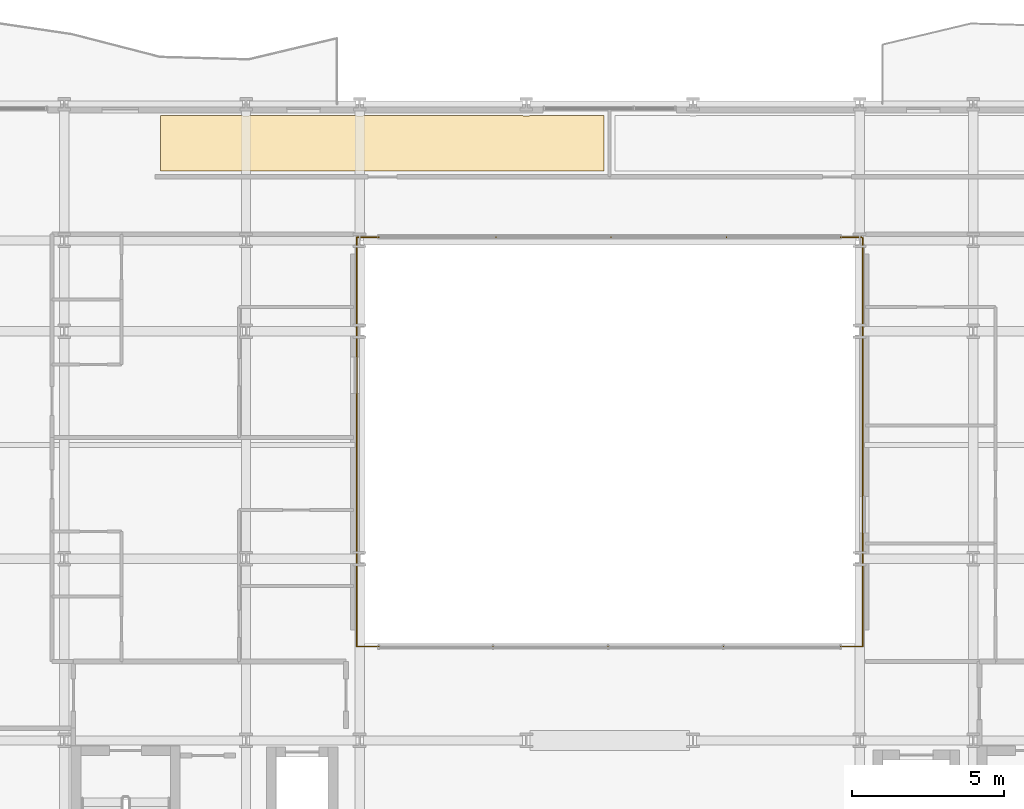
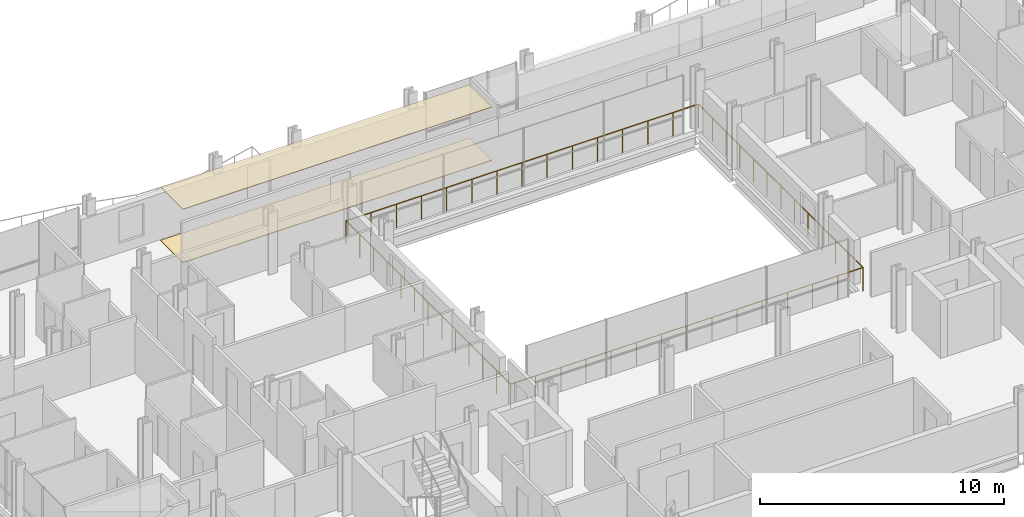
# One storey, part 39 of 41: 2 coverings, 2 railings.
"""IFC4 building model written with IfcOpenShell, lengths in metres."""

import ifcopenshell
import ifcopenshell.guid

model = None  # the IFC model being written
_history = None  # IfcOwnerHistory: only IFC2X3 demands one
_inside = {}  # id of a spatial element -> (the spatial element, [elements in it])
_under = {}  # id of a project, library or spatial element -> (it, [spatial elements below it])
_declared = {}  # id of a project -> (the project, [libraries it declares])
_typed = {}  # id of a type object -> (the type object, [elements of that type])
_made_of = {}  # id of a material, layer set ... -> (it, [elements and type objects made of it])


def new_model(schema):
    """Start an empty IFC model of exactly this schema.

    Asked for "IFC4X3", IfcOpenShell would pick the latest addendum, in which some entities
    have other attributes; the version numbers below select the first issue.
    IFC2X3 requires an IfcOwnerHistory on every rooted entity: one is made here for all.
    """
    global model, _history
    if schema == "IFC4X3":
        model = ifcopenshell.file(schema_version=(4, 3, 0, 0))
    else:
        model = ifcopenshell.file(schema=schema)
    _inside.clear()
    _under.clear()
    _declared.clear()
    _typed.clear()
    _made_of.clear()
    _history = None
    if model.schema == "IFC2X3":
        org = make("IfcOrganization", Name="unknown")
        user = make(
            "IfcPersonAndOrganization",
            ThePerson=make("IfcPerson", FamilyName="unknown"),
            TheOrganization=org,
        )
        app = make(
            "IfcApplication",
            ApplicationDeveloper=org,
            Version="unknown",
            ApplicationFullName="unknown",
            ApplicationIdentifier="unknown",
        )
        _history = make(
            "IfcOwnerHistory",
            OwningUser=user,
            OwningApplication=app,
            ChangeAction="ADDED",
            CreationDate=0,
        )
    return model


def make(cls, **values):
    """One entity of the class cls with the attributes given. An attribute that is None is left unset."""
    return model.create_entity(
        cls, **{name: value for name, value in values.items() if value is not None}
    )


def rooted(cls, **values):
    """An entity with a GlobalId (a new one), such as an element, a storey or a relation."""
    return make(cls, GlobalId=ifcopenshell.guid.new(), OwnerHistory=_history, **values)


def si_unit(unit_type, name, prefix=None):
    """IfcSIUnit, for example si_unit("LENGTHUNIT", "METRE", prefix="MILLI")."""
    return make("IfcSIUnit", UnitType=unit_type, Prefix=prefix, Name=name)


def assignment(units):
    """IfcUnitAssignment: the units of a project."""
    return None if units is None else make("IfcUnitAssignment", Units=units)


def point(xyz):
    """IfcCartesianPoint."""
    return None if xyz is None else make("IfcCartesianPoint", Coordinates=xyz)


def direction(xyz):
    """IfcDirection."""
    return None if xyz is None else make("IfcDirection", DirectionRatios=xyz)


def frame(location, z_axis=None, x_axis=None):
    """IfcAxis2Placement3D, a coordinate frame: its origin and axes. An axis left out is left unset."""
    return make(
        "IfcAxis2Placement3D",
        Location=point(location),
        Axis=direction(z_axis),
        RefDirection=direction(x_axis),
    )


def frame_2d(location, x_axis=None):
    """IfcAxis2Placement2D, a coordinate frame in the plane: its origin and x axis."""
    return make(
        "IfcAxis2Placement2D", Location=point(location), RefDirection=direction(x_axis)
    )


def origin():
    """The frame at (0, 0, 0) with its axes left unset."""
    return frame((0.0, 0.0, 0.0))


def origin_2d():
    """The frame at (0, 0) in the plane with its x axis left unset."""
    return frame_2d((0.0, 0.0))


def place(relative_to, where):
    """IfcLocalPlacement: puts the frame where relative to a parent placement (None: the world)."""
    return make(
        "IfcLocalPlacement", PlacementRelTo=relative_to, RelativePlacement=where
    )


def context(
    kind, dimensions, precision=None, world=None, true_north=None, identifier=None
):
    """IfcGeometricRepresentationContext, for example the 3D "Model" context."""
    return make(
        "IfcGeometricRepresentationContext",
        ContextIdentifier=identifier,
        ContextType=kind,
        CoordinateSpaceDimension=dimensions,
        Precision=precision,
        WorldCoordinateSystem=world,
        TrueNorth=true_north,
    )


def subcontext(parent, identifier, kind, view, scale=None):
    """IfcGeometricRepresentationSubContext, for example "Body" below "Model"."""
    return make(
        "IfcGeometricRepresentationSubContext",
        ContextIdentifier=identifier,
        ContextType=kind,
        ParentContext=parent,
        TargetScale=scale,
        TargetView=view,
    )


def project(units=None, contexts=None):
    """IfcProject with its units and contexts."""
    return rooted(
        "IfcProject",
        Name="project",
        RepresentationContexts=contexts,
        UnitsInContext=assignment(units),
    )


def spatial(cls, under=None, at=None, **own):
    """A site, building, storey or space (cls), placed at a placement, below another one or the project."""
    s = rooted(cls, ObjectPlacement=at, **own)
    if under is not None:
        _under.setdefault(under.id(), (under, []))[1].append(s)
    return s


def polyline(points):
    """IfcPolyline through the points."""
    return make("IfcPolyline", Points=[point(p) for p in points])


def profile(cls, at=None, kind="AREA", **sizes):
    """A parametric profile (cls). Its sizes go by their IFC names, for example OverallWidth=200.0."""
    return make(cls, ProfileType=kind, Position=at, **sizes)


def circle(**sizes):
    """IfcCircleProfileDef."""
    return profile("IfcCircleProfileDef", **sizes)


def outline(outer, holes=None, kind="AREA"):
    """IfcArbitraryClosedProfileDef: a profile drawn as a closed curve; with holes, ...WithVoids."""
    if holes is None:
        return make("IfcArbitraryClosedProfileDef", ProfileType=kind, OuterCurve=outer)
    return make(
        "IfcArbitraryProfileDefWithVoids",
        ProfileType=kind,
        OuterCurve=outer,
        InnerCurves=holes,
    )


def extrude(swept, where, along, depth):
    """IfcExtrudedAreaSolid: the profile swept, set in the frame where, extruded along a direction by depth."""
    return make(
        "IfcExtrudedAreaSolid",
        SweptArea=swept,
        Position=where,
        ExtrudedDirection=direction(along),
        Depth=depth,
    )


def shape(context_of_items, identifier, shape_type, items):
    """IfcShapeRepresentation: the items that make up one representation, for example the "Body"."""
    return make(
        "IfcShapeRepresentation",
        ContextOfItems=context_of_items,
        RepresentationIdentifier=identifier,
        RepresentationType=shape_type,
        Items=items,
    )


def material(Name=None, Category=None):
    """IfcMaterial."""
    return make("IfcMaterial", Name=Name, Category=Category)


def layer(
    of_material, thickness, ventilated=None, Name=None, Category=None, Priority=None
):
    """IfcMaterialLayer: one layer of a wall or slab, of a material (None: an air gap)."""
    return make(
        "IfcMaterialLayer",
        Material=of_material,
        LayerThickness=thickness,
        IsVentilated=ventilated,
        Name=Name,
        Category=Category,
        Priority=Priority,
    )


def layer_set(layers, Name=None):
    """IfcMaterialLayerSet."""
    return make("IfcMaterialLayerSet", MaterialLayers=layers, LayerSetName=Name)


def made_of(thing, what):
    """Note that an element or type object is made of a material, layer set ...; save() writes the relation."""
    if what is not None:
        _made_of.setdefault(what.id(), (what, []))[1].append(thing)
    return thing


def type_object(cls, material=None, **own):
    """A type object (cls), such as IfcWallType, which elements share."""
    return made_of(rooted(cls, **own), material)


def element(
    cls,
    number,
    at=None,
    inside=None,
    cuts=None,
    type_object=None,
    material=None,
    context=None,
    identifier="Body",
    shape_type=None,
    held_by="IfcProductDefinitionShape",
    body=None,
    shapes=None,
    **own,
):
    """One element of the class cls, such as IfcWall. Its Tag is "e" and its number.

    at: its placement. inside: the storey or other place that contains it. cuts: it is an
    opening in that element (IfcRelVoidsElement). A single representation is given by context,
    identifier, shape_type and body (its items); several are given by shapes. held_by: the class
    of the entity that holds the representations. save() writes the other relations.
    """
    e = rooted(cls, Tag="e%d" % number, ObjectPlacement=at, **own)
    if body is not None:
        shapes = [shape(context, identifier, shape_type, body)]
    if shapes is not None:
        e.Representation = make(held_by, Representations=shapes)
    if inside is not None:
        _inside.setdefault(inside.id(), (inside, []))[1].append(e)
    if cuts is not None:
        rooted(
            "IfcRelVoidsElement", RelatingBuildingElement=cuts, RelatedOpeningElement=e
        )
    if type_object is not None:
        _typed.setdefault(type_object.id(), (type_object, []))[1].append(e)
    return made_of(e, material)


def aggregate(whole, parts):
    """IfcRelAggregates: a whole, such as a stair, and the parts it consists of."""
    return rooted("IfcRelAggregates", RelatingObject=whole, RelatedObjects=parts)


def save(model, path):
    """Write the relations noted so far, then the file.

    IfcRelAggregates (storeys below a building ...), IfcRelContainedInSpatialStructure (elements
    in a storey), IfcRelDefinesByType, IfcRelAssociatesMaterial and IfcRelDeclares: one each for
    every whole, place, type object, material and project.
    """
    for whole, parts in _under.values():
        aggregate(whole, parts)
    for where, things in _inside.values():
        rooted(
            "IfcRelContainedInSpatialStructure",
            RelatedElements=things,
            RelatingStructure=where,
        )
    for kind, things in _typed.values():
        rooted("IfcRelDefinesByType", RelatedObjects=things, RelatingType=kind)
    for what, things in _made_of.values():
        rooted("IfcRelAssociatesMaterial", RelatedObjects=things, RelatingMaterial=what)
    for by, libraries in _declared.values():
        rooted("IfcRelDeclares", RelatingContext=by, RelatedDefinitions=libraries)
    model.write(path)


model = new_model("IFC4")

# Units and contexts
model_context = context("Model", 3, precision=1e-05, world=origin(), true_north=direction((0.0, 1.0)))
body_context = subcontext(model_context, "Body", "Model", "MODEL_VIEW")
ifc_project = project(units=[si_unit("LENGTHUNIT", "METRE"), si_unit("AREAUNIT", "SQUARE_METRE"), si_unit("VOLUMEUNIT", "CUBIC_METRE"), si_unit("PLANEANGLEUNIT", "RADIAN"), si_unit("MASSUNIT", "GRAM", prefix="KILO")], contexts=[model_context])

# Site, building, storey
site_placement = place(None, origin())
site = spatial("IfcSite", under=ifc_project, at=site_placement, CompositionType="ELEMENT")
building_placement = place(site_placement, origin())
building = spatial("IfcBuilding", under=site, at=building_placement, Name="Brevholm Reach", CompositionType="ELEMENT")
storey_placement = place(building_placement, frame((0.0, 0.0, 43.5)))
storey = spatial("IfcBuildingStorey", under=building, at=storey_placement, Name="L11", CompositionType="ELEMENT", Elevation=43.5)

# Coverings
ifc_material_1 = material(Name="Moisture-Resistant Skimmed Gypsum Plasterboard Ceiling", Category="gypsum")
ifc_layer_1 = layer(ifc_material_1, 0.030029296875)
ifc_layer_set_1 = layer_set([ifc_layer_1], Name="Moisture-Resistant Skimmed Gypsum Plasterboard Ceiling")
covering_type_1 = type_object("IfcCoveringType", Name="COV-CLG-GYP", PredefinedType="CEILING", material=ifc_layer_set_1)
covering_1_placement = place(storey_placement, frame((0.0, 0.0, 2.669921875)))
element("IfcCovering", 1, at=covering_1_placement, inside=storey, type_object=covering_type_1, Name="L11 Suspended Ceiling L11-78", PredefinedType="CEILING", context=body_context, shape_type="SweptSolid", body=[
    extrude(outline(polyline([(15.179931640625, 30.6201171875), (17.876220703125, 30.6201171875), (17.8837890625, 30.6171875), (17.922119140625, 30.607666015625), (17.960693359375, 30.601806640625), (18.0, 30.60009765625), (18.039306640625, 30.601806640625), (18.077880859375, 30.607666015625), (18.1162109375, 30.6171875), (18.123779296875, 30.6201171875), (21.626220703125, 30.6201171875), (21.6337890625, 30.6171875), (21.672119140625, 30.607666015625), (21.710693359375, 30.601806640625), (21.75, 30.60009765625), (21.789306640625, 30.601806640625), (21.827880859375, 30.607666015625), (21.8662109375, 30.6171875), (21.873779296875, 30.6201171875), (27.126220703125, 30.6201171875), (27.1337890625, 30.6171875), (27.172119140625, 30.607666015625), (27.210693359375, 30.601806640625), (27.25, 30.60009765625), (27.289306640625, 30.601806640625), (27.327880859375, 30.607666015625), (27.3662109375, 30.6171875), (27.373779296875, 30.6201171875), (29.820068359375, 30.6201171875), (29.820068359375, 28.783935546875), (15.179931640625, 28.783935546875), (15.179931640625, 30.6201171875)])), origin(), (0.0, 0.0, 1.0), 0.030029296875),
])
ifc_material_2 = material(Name="Honed Portland-Aggregate Resin Terrazzo Flooring", Category="concrete")
ifc_layer_2 = layer(ifc_material_2, 0.031982421875)
ifc_layer_set_2 = layer_set([ifc_layer_2], Name="Honed Portland-Aggregate Resin Terrazzo Flooring")
covering_type_2 = type_object("IfcCoveringType", Name="COV-FLR-TRZ", PredefinedType="FLOORING", material=ifc_layer_set_2)
covering_2_placement = place(storey_placement, origin())
element("IfcCovering", 2, at=covering_2_placement, inside=storey, type_object=covering_type_2, Name="L11 Floor Finish L11-78", PredefinedType="FLOORING", context=body_context, shape_type="SweptSolid", body=[
    extrude(outline(polyline([(15.179931640625, 30.6201171875), (17.876220703125, 30.6201171875), (17.8837890625, 30.6171875), (17.922119140625, 30.607666015625), (17.960693359375, 30.601806640625), (18.0, 30.60009765625), (18.039306640625, 30.601806640625), (18.077880859375, 30.607666015625), (18.1162109375, 30.6171875), (18.123779296875, 30.6201171875), (21.626220703125, 30.6201171875), (21.6337890625, 30.6171875), (21.672119140625, 30.607666015625), (21.710693359375, 30.601806640625), (21.75, 30.60009765625), (21.789306640625, 30.601806640625), (21.827880859375, 30.607666015625), (21.8662109375, 30.6171875), (21.873779296875, 30.6201171875), (27.126220703125, 30.6201171875), (27.1337890625, 30.6171875), (27.172119140625, 30.607666015625), (27.210693359375, 30.601806640625), (27.25, 30.60009765625), (27.289306640625, 30.601806640625), (27.327880859375, 30.607666015625), (27.3662109375, 30.6171875), (27.373779296875, 30.6201171875), (29.820068359375, 30.6201171875), (29.820068359375, 28.783935546875), (15.179931640625, 28.783935546875), (15.179931640625, 30.6201171875)])), origin(), (0.0, 0.0, 1.0), 0.031982421875),
])

# Railings
ifc_material_3 = material(Name="Brushed Stainless Steel EN 1.4401 and Laminated Glass", Category="steel")
railing_type = type_object("IfcRailingType", Name="RAL-TERR-1200", PredefinedType="BALUSTRADE", material=ifc_material_3)
railing_1_placement = place(storey_placement, frame((21.64990234375, 13.10009765625, 0.0)))
element("IfcRailing", 3, at=railing_1_placement, inside=storey, type_object=railing_type, Name="L11 Guard Balustrade RAL-L11-AT-VOID-SW", PredefinedType="BALUSTRADE", context=body_context, shape_type="SweptSolid", body=[
    extrude(circle(Radius=0.02392578125, at=origin_2d()), frame((0.0, 0.0, 1.17578125), z_axis=(1.0, 0.0, 0.0), x_axis=(0.0, 1.0, 0.0)), (0.0, 0.0, 1.0), 16.7001953125),
    extrude(circle(Radius=0.02392578125, at=origin_2d()), frame((16.7001953125, 0.0, 1.17578125), z_axis=(0.0, 1.0, 0.0), x_axis=(-1.0, 0.0, 0.0)), (0.0, 0.0, 1.0), 13.47998046875),
    extrude(circle(Radius=0.02099609375, at=origin_2d()), origin(), (0.0, 0.0, 1.0), 1.15185546875),
    extrude(circle(Radius=0.02099609375, at=origin_2d()), frame((1.19287109375, 0.0, 0.0)), (0.0, 0.0, 1.0), 1.15185546875),
    extrude(circle(Radius=0.02099609375, at=origin_2d()), frame((2.3857421875, 0.0, 0.0)), (0.0, 0.0, 1.0), 1.15185546875),
    extrude(circle(Radius=0.02099609375, at=origin_2d()), frame((3.57861328125, 0.0, 0.0)), (0.0, 0.0, 1.0), 1.15185546875),
    extrude(circle(Radius=0.02099609375, at=origin_2d()), frame((4.771484375, 0.0, 0.0)), (0.0, 0.0, 1.0), 1.15185546875),
    extrude(circle(Radius=0.02099609375, at=origin_2d()), frame((5.96435546875, 0.0, 0.0)), (0.0, 0.0, 1.0), 1.15185546875),
    extrude(circle(Radius=0.02099609375, at=origin_2d()), frame((7.1572265625, 0.0, 0.0)), (0.0, 0.0, 1.0), 1.15185546875),
    extrude(circle(Radius=0.02099609375, at=origin_2d()), frame((8.35009765625, 0.0, 0.0)), (0.0, 0.0, 1.0), 1.15185546875),
    extrude(circle(Radius=0.02099609375, at=origin_2d()), frame((9.54296875, 0.0, 0.0)), (0.0, 0.0, 1.0), 1.15185546875),
    extrude(circle(Radius=0.02099609375, at=origin_2d()), frame((10.73583984375, 0.0, 0.0)), (0.0, 0.0, 1.0), 1.15185546875),
    extrude(circle(Radius=0.02099609375, at=origin_2d()), frame((11.9287109375, 0.0, 0.0)), (0.0, 0.0, 1.0), 1.15185546875),
    extrude(circle(Radius=0.02099609375, at=origin_2d()), frame((13.12158203125, 0.0, 0.0)), (0.0, 0.0, 1.0), 1.15185546875),
    extrude(circle(Radius=0.02099609375, at=origin_2d()), frame((14.314453125, 0.0, 0.0)), (0.0, 0.0, 1.0), 1.15185546875),
    extrude(circle(Radius=0.02099609375, at=origin_2d()), frame((15.50732421875, 0.0, 0.0)), (0.0, 0.0, 1.0), 1.15185546875),
    extrude(circle(Radius=0.02099609375, at=origin_2d()), frame((16.7001953125, 0.0, 0.0)), (0.0, 0.0, 1.0), 1.15185546875),
    extrude(circle(Radius=0.02099609375, at=origin_2d()), frame((16.7001953125, 1.123291015625, 0.0)), (0.0, 0.0, 1.0), 1.15185546875),
    extrude(circle(Radius=0.02099609375, at=origin_2d()), frame((16.7001953125, 2.24658203125, 0.0)), (0.0, 0.0, 1.0), 1.15185546875),
    extrude(circle(Radius=0.02099609375, at=origin_2d()), frame((16.7001953125, 3.3701171875, 0.0)), (0.0, 0.0, 1.0), 1.15185546875),
    extrude(circle(Radius=0.02099609375, at=origin_2d()), frame((16.7001953125, 4.493408203125, 0.0)), (0.0, 0.0, 1.0), 1.15185546875),
    extrude(circle(Radius=0.02099609375, at=origin_2d()), frame((16.7001953125, 5.61669921875, 0.0)), (0.0, 0.0, 1.0), 1.15185546875),
    extrude(circle(Radius=0.02099609375, at=origin_2d()), frame((16.7001953125, 6.739990234375, 0.0)), (0.0, 0.0, 1.0), 1.15185546875),
    extrude(circle(Radius=0.02099609375, at=origin_2d()), frame((16.7001953125, 7.86328125, 0.0)), (0.0, 0.0, 1.0), 1.15185546875),
    extrude(circle(Radius=0.02099609375, at=origin_2d()), frame((16.7001953125, 8.986572265625, 0.0)), (0.0, 0.0, 1.0), 1.15185546875),
    extrude(circle(Radius=0.02099609375, at=origin_2d()), frame((16.7001953125, 10.10986328125, 0.0)), (0.0, 0.0, 1.0), 1.15185546875),
    extrude(circle(Radius=0.02099609375, at=origin_2d()), frame((16.7001953125, 11.2333984375, 0.0)), (0.0, 0.0, 1.0), 1.15185546875),
    extrude(circle(Radius=0.02099609375, at=origin_2d()), frame((16.7001953125, 12.356689453125, 0.0)), (0.0, 0.0, 1.0), 1.15185546875),
    extrude(circle(Radius=0.02099609375, at=origin_2d()), frame((16.7001953125, 13.47998046875, 0.0)), (0.0, 0.0, 1.0), 1.15185546875),
])
railing_2_placement = place(storey_placement, frame((38.330078125, 26.60009765625, 0.0)))
element("IfcRailing", 4, at=railing_2_placement, inside=storey, type_object=railing_type, Name="L11 Guard Balustrade RAL-L11-AT-VOID-NE", PredefinedType="BALUSTRADE", context=body_context, shape_type="SweptSolid", body=[
    extrude(circle(Radius=0.02392578125, at=origin_2d()), frame((0.0, 0.0, 1.17578125), z_axis=(-1.0, 0.0, 0.0), x_axis=(0.0, -1.0, 0.0)), (0.0, 0.0, 1.0), 16.68017578125),
    extrude(circle(Radius=0.02392578125, at=origin_2d()), frame((-16.68017578125, 0.0, 1.17578125), z_axis=(0.0, -1.0, 0.0), x_axis=(1.0, 0.0, 0.0)), (0.0, 0.0, 1.0), 13.47998046875),
    extrude(circle(Radius=0.02099609375, at=origin_2d()), origin(), (0.0, 0.0, 1.0), 1.15185546875),
    extrude(circle(Radius=0.02099609375, at=origin_2d()), frame((-1.19140625, 0.0, 0.0)), (0.0, 0.0, 1.0), 1.15185546875),
    extrude(circle(Radius=0.02099609375, at=origin_2d()), frame((-2.3828125, 0.0, 0.0)), (0.0, 0.0, 1.0), 1.15185546875),
    extrude(circle(Radius=0.02099609375, at=origin_2d()), frame((-3.57421875, 0.0, 0.0)), (0.0, 0.0, 1.0), 1.15185546875),
    extrude(circle(Radius=0.02099609375, at=origin_2d()), frame((-4.765869140625, 0.0, 0.0)), (0.0, 0.0, 1.0), 1.15185546875),
    extrude(circle(Radius=0.02099609375, at=origin_2d()), frame((-5.957275390625, 0.0, 0.0)), (0.0, 0.0, 1.0), 1.15185546875),
    extrude(circle(Radius=0.02099609375, at=origin_2d()), frame((-7.148681640625, 0.0, 0.0)), (0.0, 0.0, 1.0), 1.15185546875),
    extrude(circle(Radius=0.02099609375, at=origin_2d()), frame((-8.340087890625, 0.0, 0.0)), (0.0, 0.0, 1.0), 1.15185546875),
    extrude(circle(Radius=0.02099609375, at=origin_2d()), frame((-9.531494140625, 0.0, 0.0)), (0.0, 0.0, 1.0), 1.15185546875),
    extrude(circle(Radius=0.02099609375, at=origin_2d()), frame((-10.722900390625, 0.0, 0.0)), (0.0, 0.0, 1.0), 1.15185546875),
    extrude(circle(Radius=0.02099609375, at=origin_2d()), frame((-11.914306640625, 0.0, 0.0)), (0.0, 0.0, 1.0), 1.15185546875),
    extrude(circle(Radius=0.02099609375, at=origin_2d()), frame((-13.10595703125, 0.0, 0.0)), (0.0, 0.0, 1.0), 1.15185546875),
    extrude(circle(Radius=0.02099609375, at=origin_2d()), frame((-14.29736328125, 0.0, 0.0)), (0.0, 0.0, 1.0), 1.15185546875),
    extrude(circle(Radius=0.02099609375, at=origin_2d()), frame((-15.48876953125, 0.0, 0.0)), (0.0, 0.0, 1.0), 1.15185546875),
    extrude(circle(Radius=0.02099609375, at=origin_2d()), frame((-16.68017578125, 0.0, 0.0)), (0.0, 0.0, 1.0), 1.15185546875),
    extrude(circle(Radius=0.02099609375, at=origin_2d()), frame((-16.68017578125, -1.123291015625, 0.0)), (0.0, 0.0, 1.0), 1.15185546875),
    extrude(circle(Radius=0.02099609375, at=origin_2d()), frame((-16.68017578125, -2.24658203125, 0.0)), (0.0, 0.0, 1.0), 1.15185546875),
    extrude(circle(Radius=0.02099609375, at=origin_2d()), frame((-16.68017578125, -3.3701171875, 0.0)), (0.0, 0.0, 1.0), 1.15185546875),
    extrude(circle(Radius=0.02099609375, at=origin_2d()), frame((-16.68017578125, -4.493408203125, 0.0)), (0.0, 0.0, 1.0), 1.15185546875),
    extrude(circle(Radius=0.02099609375, at=origin_2d()), frame((-16.68017578125, -5.61669921875, 0.0)), (0.0, 0.0, 1.0), 1.15185546875),
    extrude(circle(Radius=0.02099609375, at=origin_2d()), frame((-16.68017578125, -6.739990234375, 0.0)), (0.0, 0.0, 1.0), 1.15185546875),
    extrude(circle(Radius=0.02099609375, at=origin_2d()), frame((-16.68017578125, -7.86328125, 0.0)), (0.0, 0.0, 1.0), 1.15185546875),
    extrude(circle(Radius=0.02099609375, at=origin_2d()), frame((-16.68017578125, -8.986572265625, 0.0)), (0.0, 0.0, 1.0), 1.15185546875),
    extrude(circle(Radius=0.02099609375, at=origin_2d()), frame((-16.68017578125, -10.10986328125, 0.0)), (0.0, 0.0, 1.0), 1.15185546875),
    extrude(circle(Radius=0.02099609375, at=origin_2d()), frame((-16.68017578125, -11.2333984375, 0.0)), (0.0, 0.0, 1.0), 1.15185546875),
    extrude(circle(Radius=0.02099609375, at=origin_2d()), frame((-16.68017578125, -12.356689453125, 0.0)), (0.0, 0.0, 1.0), 1.15185546875),
    extrude(circle(Radius=0.02099609375, at=origin_2d()), frame((-16.68017578125, -13.47998046875, 0.0)), (0.0, 0.0, 1.0), 1.15185546875),
])

save(model, "model.ifc")
